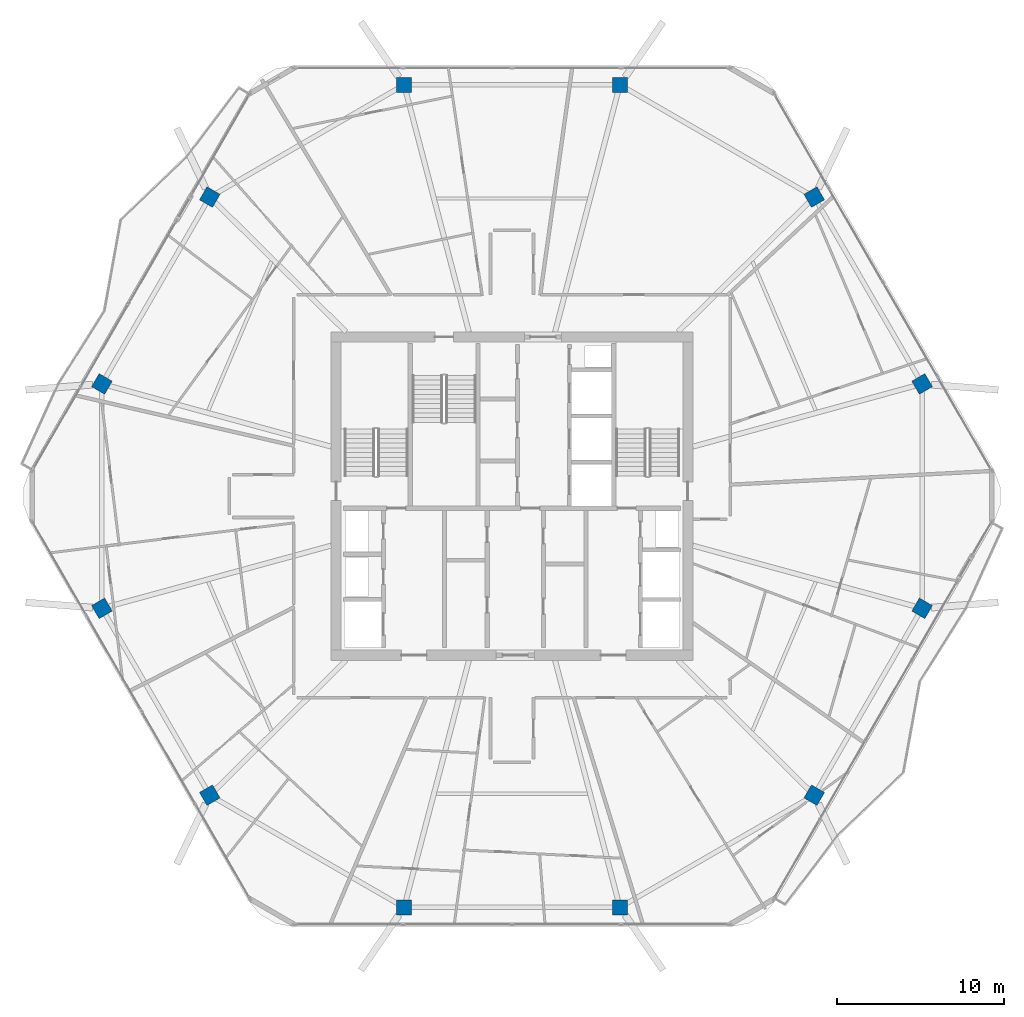
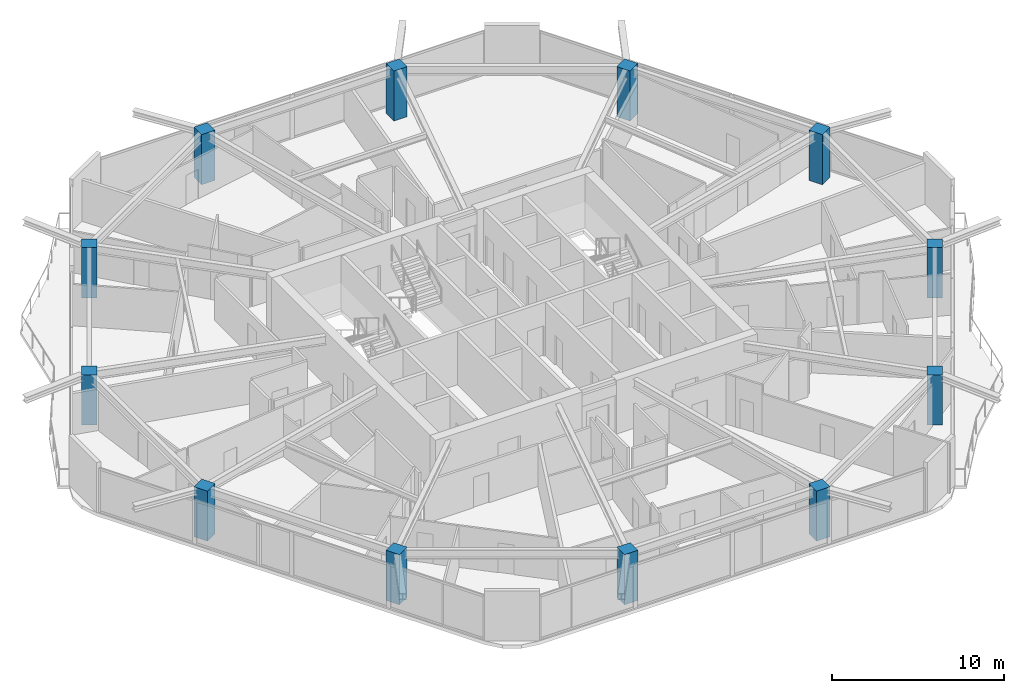
# One storey, part 1 of 25: 12 columns.
"""IFC4 building model written with IfcOpenShell, lengths in metres."""

from ifc_helpers import new_model, si_unit, direction, frame, origin, origin_2d, place, context, subcontext, project, spatial, rectangle, extrude, material, material_profile, profile_set, type_object, element, save


model = new_model("IFC4")

# Units and contexts
model_context = context("Model", 3, precision=1e-05, world=origin(), true_north=direction((0.0, 1.0)))
body_context = subcontext(model_context, "Body", "Model", "MODEL_VIEW")
ifc_project = project(units=[si_unit("LENGTHUNIT", "METRE"), si_unit("AREAUNIT", "SQUARE_METRE"), si_unit("VOLUMEUNIT", "CUBIC_METRE"), si_unit("PLANEANGLEUNIT", "RADIAN"), si_unit("MASSUNIT", "GRAM", prefix="KILO")], contexts=[model_context])

# Site, building, storey
site_placement = place(None, origin())
site = spatial("IfcSite", under=ifc_project, at=site_placement, CompositionType="ELEMENT")
building_placement = place(site_placement, origin())
building = spatial("IfcBuilding", under=site, at=building_placement, Name="Zuhravey Tower", CompositionType="ELEMENT")
storey_placement = place(building_placement, frame((0.0, 0.0, 257.800048828125)))
storey = spatial("IfcBuildingStorey", under=building, at=storey_placement, Name="L65", CompositionType="ELEMENT", Elevation=257.800048828125)

# Columns
ifc_material = material(Name="Concrete C50/60", Category="concrete")
ifc_material_profile = material_profile(ifc_material, rectangle(XDim=0.89990234375, YDim=0.89990234375, at=origin_2d()), Name="RC-900x900")
ifc_profile_set = profile_set([ifc_material_profile], Name="Concrete C50/60")
column_type = type_object("IfcColumnType", Name="Zone 3 Perimeter Column 900x900", PredefinedType="COLUMN", material=ifc_profile_set)
for number, where, z_axis, x_axis, name in (
    (1, (60.484619140625, 38.698974609375, 0.0), (0.0, 0.0, 1.0), (-0.5, 0.866025403784, 0.0), "L65 Perimeter Column PC01"),
    (2, (54.043701171875, 49.854736328125, 0.0), (0.0, 0.0, 1.0), (-0.5, 0.866025403784, 0.0), "L65 Perimeter Column PC02"),
    (3, (42.44091796875, 56.5537109375, 0.0), (0.0, 0.0, 1.0), (-1.0, 0.0, 0.0), "L65 Perimeter Column PC03"),
    (4, (29.55908203125, 56.5537109375, 0.0), (0.0, 0.0, 1.0), (-1.0, 0.0, 0.0), "L65 Perimeter Column PC04"),
    (5, (17.956298828125, 49.854736328125, 0.0), (0.0, 0.0, 1.0), (-0.5, -0.866025403784, 0.0), "L65 Perimeter Column PC05"),
    (6, (11.515380859375, 38.698974609375, 0.0), (0.0, 0.0, 1.0), (-0.5, -0.866025403784, 0.0), "L65 Perimeter Column PC06"),
    (7, (11.515380859375, 25.301025390625, 0.0), (0.0, 0.0, 1.0), (0.5, -0.866025403784, 0.0), "L65 Perimeter Column PC07"),
    (8, (17.956298828125, 14.145263671875, 0.0), (0.0, 0.0, 1.0), (0.5, -0.866025403784, 0.0), "L65 Perimeter Column PC08"),
    (9, (29.55908203125, 7.4462890625, 0.0), (0.0, 0.0, 1.0), (1.0, 0.0, 0.0), "L65 Perimeter Column PC09"),
    (10, (42.44091796875, 7.4462890625, 0.0), (0.0, 0.0, 1.0), (1.0, 0.0, 0.0), "L65 Perimeter Column PC10"),
    (11, (54.043701171875, 14.145263671875, 0.0), (0.0, 0.0, 1.0), (0.5, 0.866025403784, 0.0), "L65 Perimeter Column PC11"),
    (12, (60.484619140625, 25.301025390625, 0.0), (0.0, 0.0, 1.0), (0.5, 0.866025403784, 0.0), "L65 Perimeter Column PC12"),
):
    element("IfcColumn", number, at=place(storey_placement, frame(where, z_axis=z_axis, x_axis=x_axis)), inside=storey, type_object=column_type, Name=name, PredefinedType="COLUMN", context=body_context, shape_type="SweptSolid", body=[
        extrude(rectangle(XDim=0.89990234375, YDim=0.89990234375, at=origin_2d()), origin(), (0.0, 0.0, 1.0), 3.550048828125),
    ])

save(model, "model.ifc")
